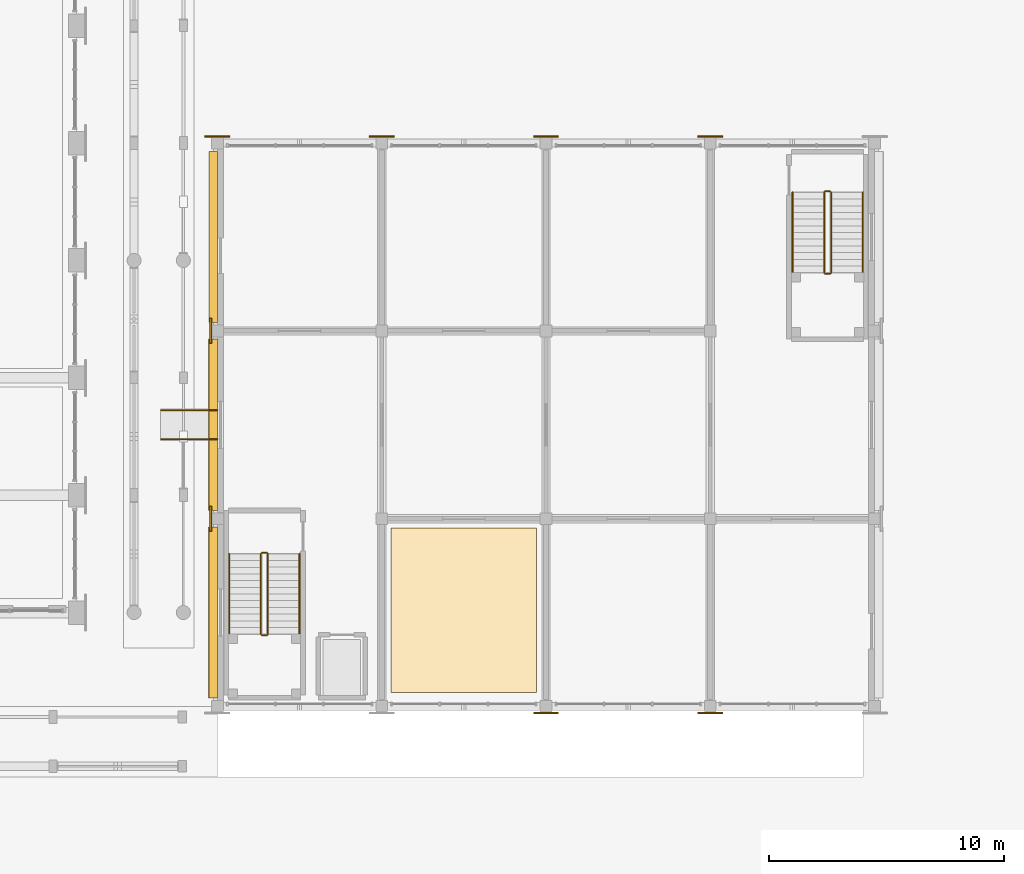
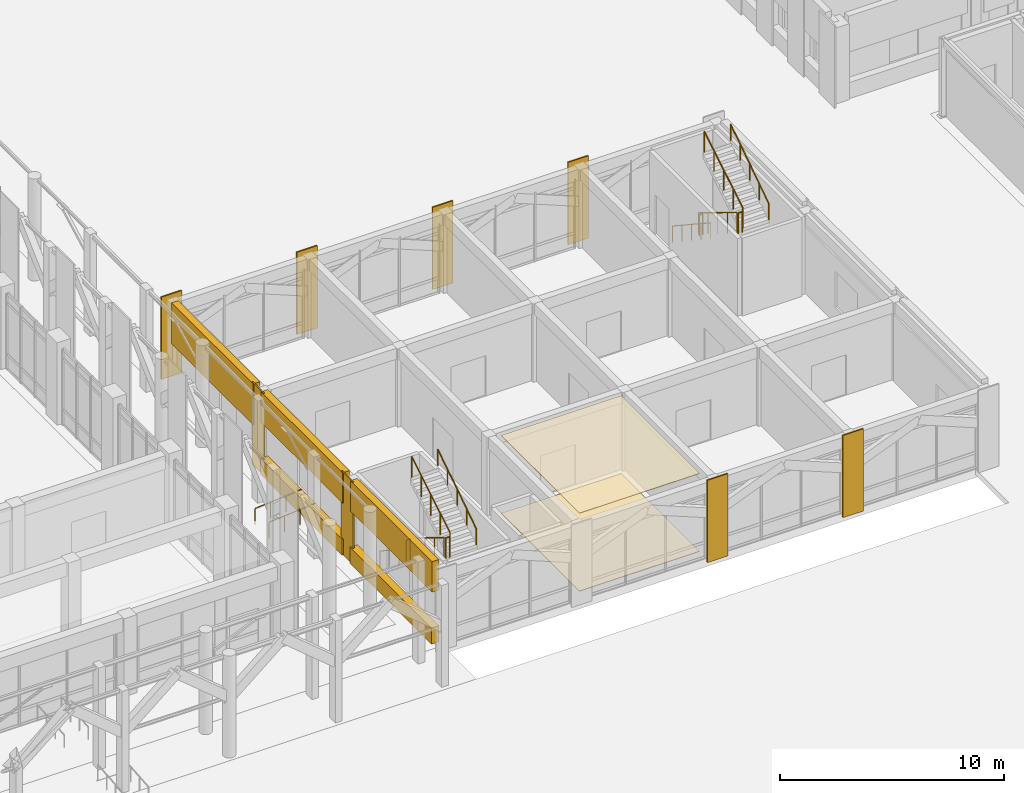
# One storey, part 122 of 135: 15 coverings, 14 railings.
"""IFC4 building model written with IfcOpenShell, lengths in metres."""

import ifcopenshell
import ifcopenshell.guid

model = None  # the IFC model being written
_history = None  # IfcOwnerHistory: only IFC2X3 demands one
_inside = {}  # id of a spatial element -> (the spatial element, [elements in it])
_under = {}  # id of a project, library or spatial element -> (it, [spatial elements below it])
_declared = {}  # id of a project -> (the project, [libraries it declares])
_typed = {}  # id of a type object -> (the type object, [elements of that type])
_made_of = {}  # id of a material, layer set ... -> (it, [elements and type objects made of it])


def new_model(schema):
    """Start an empty IFC model of exactly this schema.

    Asked for "IFC4X3", IfcOpenShell would pick the latest addendum, in which some entities
    have other attributes; the version numbers below select the first issue.
    IFC2X3 requires an IfcOwnerHistory on every rooted entity: one is made here for all.
    """
    global model, _history
    if schema == "IFC4X3":
        model = ifcopenshell.file(schema_version=(4, 3, 0, 0))
    else:
        model = ifcopenshell.file(schema=schema)
    _inside.clear()
    _under.clear()
    _declared.clear()
    _typed.clear()
    _made_of.clear()
    _history = None
    if model.schema == "IFC2X3":
        org = make("IfcOrganization", Name="unknown")
        user = make(
            "IfcPersonAndOrganization",
            ThePerson=make("IfcPerson", FamilyName="unknown"),
            TheOrganization=org,
        )
        app = make(
            "IfcApplication",
            ApplicationDeveloper=org,
            Version="unknown",
            ApplicationFullName="unknown",
            ApplicationIdentifier="unknown",
        )
        _history = make(
            "IfcOwnerHistory",
            OwningUser=user,
            OwningApplication=app,
            ChangeAction="ADDED",
            CreationDate=0,
        )
    return model


def make(cls, **values):
    """One entity of the class cls with the attributes given. An attribute that is None is left unset."""
    return model.create_entity(
        cls, **{name: value for name, value in values.items() if value is not None}
    )


def rooted(cls, **values):
    """An entity with a GlobalId (a new one), such as an element, a storey or a relation."""
    return make(cls, GlobalId=ifcopenshell.guid.new(), OwnerHistory=_history, **values)


def si_unit(unit_type, name, prefix=None):
    """IfcSIUnit, for example si_unit("LENGTHUNIT", "METRE", prefix="MILLI")."""
    return make("IfcSIUnit", UnitType=unit_type, Prefix=prefix, Name=name)


def assignment(units):
    """IfcUnitAssignment: the units of a project."""
    return None if units is None else make("IfcUnitAssignment", Units=units)


def point(xyz):
    """IfcCartesianPoint."""
    return None if xyz is None else make("IfcCartesianPoint", Coordinates=xyz)


def direction(xyz):
    """IfcDirection."""
    return None if xyz is None else make("IfcDirection", DirectionRatios=xyz)


def frame(location, z_axis=None, x_axis=None):
    """IfcAxis2Placement3D, a coordinate frame: its origin and axes. An axis left out is left unset."""
    return make(
        "IfcAxis2Placement3D",
        Location=point(location),
        Axis=direction(z_axis),
        RefDirection=direction(x_axis),
    )


def frame_2d(location, x_axis=None):
    """IfcAxis2Placement2D, a coordinate frame in the plane: its origin and x axis."""
    return make(
        "IfcAxis2Placement2D", Location=point(location), RefDirection=direction(x_axis)
    )


def origin():
    """The frame at (0, 0, 0) with its axes left unset."""
    return frame((0.0, 0.0, 0.0))


def origin_2d():
    """The frame at (0, 0) in the plane with its x axis left unset."""
    return frame_2d((0.0, 0.0))


def place(relative_to, where):
    """IfcLocalPlacement: puts the frame where relative to a parent placement (None: the world)."""
    return make(
        "IfcLocalPlacement", PlacementRelTo=relative_to, RelativePlacement=where
    )


def context(
    kind, dimensions, precision=None, world=None, true_north=None, identifier=None
):
    """IfcGeometricRepresentationContext, for example the 3D "Model" context."""
    return make(
        "IfcGeometricRepresentationContext",
        ContextIdentifier=identifier,
        ContextType=kind,
        CoordinateSpaceDimension=dimensions,
        Precision=precision,
        WorldCoordinateSystem=world,
        TrueNorth=true_north,
    )


def subcontext(parent, identifier, kind, view, scale=None):
    """IfcGeometricRepresentationSubContext, for example "Body" below "Model"."""
    return make(
        "IfcGeometricRepresentationSubContext",
        ContextIdentifier=identifier,
        ContextType=kind,
        ParentContext=parent,
        TargetScale=scale,
        TargetView=view,
    )


def project(units=None, contexts=None):
    """IfcProject with its units and contexts."""
    return rooted(
        "IfcProject",
        Name="project",
        RepresentationContexts=contexts,
        UnitsInContext=assignment(units),
    )


def spatial(cls, under=None, at=None, **own):
    """A site, building, storey or space (cls), placed at a placement, below another one or the project."""
    s = rooted(cls, ObjectPlacement=at, **own)
    if under is not None:
        _under.setdefault(under.id(), (under, []))[1].append(s)
    return s


def polyline(points):
    """IfcPolyline through the points."""
    return make("IfcPolyline", Points=[point(p) for p in points])


def profile(cls, at=None, kind="AREA", **sizes):
    """A parametric profile (cls). Its sizes go by their IFC names, for example OverallWidth=200.0."""
    return make(cls, ProfileType=kind, Position=at, **sizes)


def circle(**sizes):
    """IfcCircleProfileDef."""
    return profile("IfcCircleProfileDef", **sizes)


def outline(outer, holes=None, kind="AREA"):
    """IfcArbitraryClosedProfileDef: a profile drawn as a closed curve; with holes, ...WithVoids."""
    if holes is None:
        return make("IfcArbitraryClosedProfileDef", ProfileType=kind, OuterCurve=outer)
    return make(
        "IfcArbitraryProfileDefWithVoids",
        ProfileType=kind,
        OuterCurve=outer,
        InnerCurves=holes,
    )


def extrude(swept, where, along, depth):
    """IfcExtrudedAreaSolid: the profile swept, set in the frame where, extruded along a direction by depth."""
    return make(
        "IfcExtrudedAreaSolid",
        SweptArea=swept,
        Position=where,
        ExtrudedDirection=direction(along),
        Depth=depth,
    )


def shape(context_of_items, identifier, shape_type, items):
    """IfcShapeRepresentation: the items that make up one representation, for example the "Body"."""
    return make(
        "IfcShapeRepresentation",
        ContextOfItems=context_of_items,
        RepresentationIdentifier=identifier,
        RepresentationType=shape_type,
        Items=items,
    )


def material(Name=None, Category=None):
    """IfcMaterial."""
    return make("IfcMaterial", Name=Name, Category=Category)


def layer(
    of_material, thickness, ventilated=None, Name=None, Category=None, Priority=None
):
    """IfcMaterialLayer: one layer of a wall or slab, of a material (None: an air gap)."""
    return make(
        "IfcMaterialLayer",
        Material=of_material,
        LayerThickness=thickness,
        IsVentilated=ventilated,
        Name=Name,
        Category=Category,
        Priority=Priority,
    )


def layer_set(layers, Name=None):
    """IfcMaterialLayerSet."""
    return make("IfcMaterialLayerSet", MaterialLayers=layers, LayerSetName=Name)


def made_of(thing, what):
    """Note that an element or type object is made of a material, layer set ...; save() writes the relation."""
    if what is not None:
        _made_of.setdefault(what.id(), (what, []))[1].append(thing)
    return thing


def type_object(cls, material=None, **own):
    """A type object (cls), such as IfcWallType, which elements share."""
    return made_of(rooted(cls, **own), material)


def element(
    cls,
    number,
    at=None,
    inside=None,
    cuts=None,
    type_object=None,
    material=None,
    context=None,
    identifier="Body",
    shape_type=None,
    held_by="IfcProductDefinitionShape",
    body=None,
    shapes=None,
    **own,
):
    """One element of the class cls, such as IfcWall. Its Tag is "e" and its number.

    at: its placement. inside: the storey or other place that contains it. cuts: it is an
    opening in that element (IfcRelVoidsElement). A single representation is given by context,
    identifier, shape_type and body (its items); several are given by shapes. held_by: the class
    of the entity that holds the representations. save() writes the other relations.
    """
    e = rooted(cls, Tag="e%d" % number, ObjectPlacement=at, **own)
    if body is not None:
        shapes = [shape(context, identifier, shape_type, body)]
    if shapes is not None:
        e.Representation = make(held_by, Representations=shapes)
    if inside is not None:
        _inside.setdefault(inside.id(), (inside, []))[1].append(e)
    if cuts is not None:
        rooted(
            "IfcRelVoidsElement", RelatingBuildingElement=cuts, RelatedOpeningElement=e
        )
    if type_object is not None:
        _typed.setdefault(type_object.id(), (type_object, []))[1].append(e)
    return made_of(e, material)


def aggregate(whole, parts):
    """IfcRelAggregates: a whole, such as a stair, and the parts it consists of."""
    return rooted("IfcRelAggregates", RelatingObject=whole, RelatedObjects=parts)


def save(model, path):
    """Write the relations noted so far, then the file.

    IfcRelAggregates (storeys below a building ...), IfcRelContainedInSpatialStructure (elements
    in a storey), IfcRelDefinesByType, IfcRelAssociatesMaterial and IfcRelDeclares: one each for
    every whole, place, type object, material and project.
    """
    for whole, parts in _under.values():
        aggregate(whole, parts)
    for where, things in _inside.values():
        rooted(
            "IfcRelContainedInSpatialStructure",
            RelatedElements=things,
            RelatingStructure=where,
        )
    for kind, things in _typed.values():
        rooted("IfcRelDefinesByType", RelatedObjects=things, RelatingType=kind)
    for what, things in _made_of.values():
        rooted("IfcRelAssociatesMaterial", RelatedObjects=things, RelatingMaterial=what)
    for by, libraries in _declared.values():
        rooted("IfcRelDeclares", RelatingContext=by, RelatedDefinitions=libraries)
    model.write(path)


model = new_model("IFC4")

# Units and contexts
model_context = context("Model", 3, precision=1e-05, world=origin(), true_north=direction((0.0, 1.0)))
body_context = subcontext(model_context, "Body", "Model", "MODEL_VIEW")
ifc_project = project(units=[si_unit("LENGTHUNIT", "METRE"), si_unit("AREAUNIT", "SQUARE_METRE"), si_unit("VOLUMEUNIT", "CUBIC_METRE"), si_unit("PLANEANGLEUNIT", "RADIAN"), si_unit("MASSUNIT", "GRAM", prefix="KILO")], contexts=[model_context])

# Site, building, storey
site_placement = place(None, origin())
site = spatial("IfcSite", under=ifc_project, at=site_placement, CompositionType="ELEMENT")
building_placement = place(site_placement, origin())
building = spatial("IfcBuilding", under=site, at=building_placement, Name="Kiranvali Square Residences", CompositionType="ELEMENT")
storey_placement = place(building_placement, origin())
storey = spatial("IfcBuildingStorey", under=building, at=storey_placement, Name="L00", CompositionType="ELEMENT", Elevation=0.0)

# Coverings
ifc_material_1 = material(Name="Perforated acoustic mineral-fibre and gypsum board ceiling", Category="gypsum")
ifc_layer_1 = layer(ifc_material_1, 0.030029296875)
ifc_layer_set_1 = layer_set([ifc_layer_1], Name="Perforated acoustic mineral-fibre and gypsum board ceiling")
covering_type_1 = type_object("IfcCoveringType", Name="COV-CEIL-ACOUSTIC", PredefinedType="CEILING", material=ifc_layer_set_1)
covering_1_placement = place(storey_placement, frame((0.0, 0.0, 4.25)))
element("IfcCovering", 1, at=covering_1_placement, inside=storey, type_object=covering_type_1, Name="Cooperative Fresh Grocer acoustic ceiling", PredefinedType="CEILING", context=body_context, shape_type="SweptSolid", body=[
    extrude(outline(polyline([(109.39990234375, 40.60009765625), (115.60009765625, 40.60009765625), (115.60009765625, 47.60009765625), (109.39990234375, 47.60009765625), (109.39990234375, 40.60009765625)])), origin(), (0.0, 0.0, 1.0), 0.030029296875),
])
ifc_material_2 = material(Name="Honed Porbandar limestone ashlar facade cladding", Category="masonry")
ifc_layer_2 = layer(ifc_material_2, 0.06494140625)
ifc_layer_set_2 = layer_set([ifc_layer_2], Name="Honed Porbandar limestone ashlar facade cladding")
covering_type_2 = type_object("IfcCoveringType", Name="COV-CLAD-PIER", PredefinedType="CLADDING", material=ifc_layer_set_2)
covering_2_placement = place(storey_placement, frame((0.0, 0.0, 0.0048828125)))
element("IfcCovering", 2, at=covering_2_placement, inside=storey, type_object=covering_type_2, Name="L00 Classical limestone pilaster casing CLAD-RT-L00-N0", PredefinedType="CLADDING", context=body_context, shape_type="SweptSolid", body=[
    extrude(outline(polyline([(101.469970703125, 64.25048828125), (102.530029296875, 64.25048828125), (102.530029296875, 64.318115234375), (101.469970703125, 64.318115234375), (101.469970703125, 64.25048828125)])), origin(), (0.0, 0.0, 1.0), 4.490234375),
])
covering_3_placement = place(storey_placement, frame((0.0, 0.0, 0.0048828125)))
element("IfcCovering", 3, at=covering_3_placement, inside=storey, type_object=covering_type_2, Name="L00 Classical limestone pilaster casing CLAD-RT-L00-N1", PredefinedType="CLADDING", context=body_context, shape_type="SweptSolid", body=[
    extrude(outline(polyline([(108.469970703125, 64.25048828125), (109.530029296875, 64.25048828125), (109.530029296875, 64.318115234375), (108.469970703125, 64.318115234375), (108.469970703125, 64.25048828125)])), origin(), (0.0, 0.0, 1.0), 4.490234375),
])
covering_4_placement = place(storey_placement, frame((0.0, 0.0, 0.0048828125)))
element("IfcCovering", 4, at=covering_4_placement, inside=storey, type_object=covering_type_2, Name="L00 Classical limestone pilaster casing CLAD-RT-L00-S2", PredefinedType="CLADDING", context=body_context, shape_type="SweptSolid", body=[
    extrude(outline(polyline([(115.469970703125, 39.681884765625), (116.530029296875, 39.681884765625), (116.530029296875, 39.74951171875), (115.469970703125, 39.74951171875), (115.469970703125, 39.681884765625)])), origin(), (0.0, 0.0, 1.0), 4.490234375),
])
covering_5_placement = place(storey_placement, frame((0.0, 0.0, 0.0048828125)))
element("IfcCovering", 5, at=covering_5_placement, inside=storey, type_object=covering_type_2, Name="L00 Classical limestone pilaster casing CLAD-RT-L00-N2", PredefinedType="CLADDING", context=body_context, shape_type="SweptSolid", body=[
    extrude(outline(polyline([(115.469970703125, 64.25048828125), (116.530029296875, 64.25048828125), (116.530029296875, 64.318115234375), (115.469970703125, 64.318115234375), (115.469970703125, 64.25048828125)])), origin(), (0.0, 0.0, 1.0), 4.490234375),
])
covering_6_placement = place(storey_placement, frame((0.0, 0.0, 0.0048828125)))
element("IfcCovering", 6, at=covering_6_placement, inside=storey, type_object=covering_type_2, Name="L00 Classical limestone pilaster casing CLAD-RT-L00-S3", PredefinedType="CLADDING", context=body_context, shape_type="SweptSolid", body=[
    extrude(outline(polyline([(122.469970703125, 39.681884765625), (123.530029296875, 39.681884765625), (123.530029296875, 39.74951171875), (122.469970703125, 39.74951171875), (122.469970703125, 39.681884765625)])), origin(), (0.0, 0.0, 1.0), 4.490234375),
])
covering_7_placement = place(storey_placement, frame((0.0, 0.0, 0.0048828125)))
element("IfcCovering", 7, at=covering_7_placement, inside=storey, type_object=covering_type_2, Name="L00 Classical limestone pilaster casing CLAD-RT-L00-N3", PredefinedType="CLADDING", context=body_context, shape_type="SweptSolid", body=[
    extrude(outline(polyline([(122.469970703125, 64.25048828125), (123.530029296875, 64.25048828125), (123.530029296875, 64.318115234375), (122.469970703125, 64.318115234375), (122.469970703125, 64.25048828125)])), origin(), (0.0, 0.0, 1.0), 4.490234375),
])
covering_8_placement = place(storey_placement, frame((0.0, 0.0, 0.0048828125)))
element("IfcCovering", 8, at=covering_8_placement, inside=storey, type_object=covering_type_2, Name="L00 Classical limestone pilaster casing CLAD-RT-L00-W1", PredefinedType="CLADDING", context=body_context, shape_type="SweptSolid", body=[
    extrude(outline(polyline([(101.74951171875, 47.469970703125), (101.74951171875, 48.530029296875), (101.681884765625, 48.530029296875), (101.681884765625, 47.469970703125), (101.74951171875, 47.469970703125)])), origin(), (0.0, 0.0, 1.0), 4.490234375),
])
covering_9_placement = place(storey_placement, frame((0.0, 0.0, 0.0048828125)))
element("IfcCovering", 9, at=covering_9_placement, inside=storey, type_object=covering_type_2, Name="L00 Classical limestone pilaster casing CLAD-RT-L00-W2", PredefinedType="CLADDING", context=body_context, shape_type="SweptSolid", body=[
    extrude(outline(polyline([(101.74951171875, 55.469970703125), (101.74951171875, 56.530029296875), (101.681884765625, 56.530029296875), (101.681884765625, 55.469970703125), (101.74951171875, 55.469970703125)])), origin(), (0.0, 0.0, 1.0), 4.490234375),
])
ifc_layer_3 = layer(ifc_material_2, 0.360107421875)
ifc_layer_set_3 = layer_set([ifc_layer_3], Name="Honed Porbandar limestone ashlar facade cladding")
covering_type_3 = type_object("IfcCoveringType", Name="COV-CLAD-WALL", PredefinedType="CLADDING", material=ifc_layer_set_3)
covering_10_placement = place(storey_placement, frame((0.0, 0.0, 2.830078125)))
element("IfcCovering", 10, at=covering_10_placement, inside=storey, type_object=covering_type_3, Name="L00 light limestone spandrel lintel RT-L00-W-0", PredefinedType="CLADDING", context=body_context, shape_type="SweptSolid", body=[
    extrude(outline(polyline([(101.99951171875, 40.35009765625), (101.99951171875, 47.64990234375), (101.64990234375, 47.64990234375), (101.64990234375, 40.35009765625), (101.99951171875, 40.35009765625)])), origin(), (0.0, 0.0, 1.0), 1.6650390625),
])
covering_11_placement = place(storey_placement, frame((0.0, 0.0, 0.0048828125)))
element("IfcCovering", 11, at=covering_11_placement, inside=storey, type_object=covering_type_3, Name="L00 limestone window sill apron RT-L00-W-0", PredefinedType="CLADDING", context=body_context, shape_type="SweptSolid", body=[
    extrude(outline(polyline([(101.99951171875, 40.35009765625), (101.99951171875, 47.64990234375), (101.6201171875, 47.64990234375), (101.6201171875, 40.35009765625), (101.99951171875, 40.35009765625)])), origin(), (0.0, 0.0, 1.0), 0.875),
])
covering_12_placement = place(storey_placement, frame((0.0, 0.0, 2.830078125)))
element("IfcCovering", 12, at=covering_12_placement, inside=storey, type_object=covering_type_3, Name="L00 light limestone spandrel lintel RT-L00-W-1", PredefinedType="CLADDING", context=body_context, shape_type="SweptSolid", body=[
    extrude(outline(polyline([(101.99951171875, 48.35009765625), (101.99951171875, 55.64990234375), (101.64990234375, 55.64990234375), (101.64990234375, 48.35009765625), (101.99951171875, 48.35009765625)])), origin(), (0.0, 0.0, 1.0), 1.6650390625),
])
covering_13_placement = place(storey_placement, frame((0.0, 0.0, 0.0048828125)))
element("IfcCovering", 13, at=covering_13_placement, inside=storey, type_object=covering_type_3, Name="L00 limestone window sill apron RT-L00-W-1", PredefinedType="CLADDING", context=body_context, shape_type="SweptSolid", body=[
    extrude(outline(polyline([(101.99951171875, 48.35009765625), (101.99951171875, 55.64990234375), (101.6201171875, 55.64990234375), (101.6201171875, 48.35009765625), (101.99951171875, 48.35009765625)])), origin(), (0.0, 0.0, 1.0), 0.875),
])
covering_14_placement = place(storey_placement, frame((0.0, 0.0, 2.25)))
element("IfcCovering", 14, at=covering_14_placement, inside=storey, type_object=covering_type_3, Name="L00 light limestone spandrel lintel RT-L00-W-2", PredefinedType="CLADDING", context=body_context, shape_type="SweptSolid", body=[
    extrude(outline(polyline([(101.99951171875, 56.35009765625), (101.99951171875, 63.64990234375), (101.64990234375, 63.64990234375), (101.64990234375, 56.35009765625), (101.99951171875, 56.35009765625)])), origin(), (0.0, 0.0, 1.0), 2.2451171875),
])
ifc_material_3 = material(Name="Polished terrazzo and anti-slip vitrified floor finish", Category="stone")
ifc_layer_4 = layer(ifc_material_3, 0.030029296875)
ifc_layer_set_4 = layer_set([ifc_layer_4], Name="Polished terrazzo and anti-slip vitrified floor finish")
covering_type_4 = type_object("IfcCoveringType", Name="COV-FLR-TERRAZZO", PredefinedType="FLOORING", material=ifc_layer_set_4)
covering_15_placement = place(storey_placement, origin())
element("IfcCovering", 15, at=covering_15_placement, inside=storey, type_object=covering_type_4, Name="Cooperative Fresh Grocer terrazzo flooring", PredefinedType="FLOORING", context=body_context, shape_type="SweptSolid", body=[
    extrude(outline(polyline([(109.39990234375, 40.60009765625), (115.60009765625, 40.60009765625), (115.60009765625, 47.60009765625), (109.39990234375, 47.60009765625), (109.39990234375, 40.60009765625)])), origin(), (0.0, 0.0, 1.0), 0.030029296875),
])

# Railings
ifc_material_4 = material(Name="Brushed stainless steel tubular handrail", Category="steel")
railing_type_1 = type_object("IfcRailingType", Name="RL-HANDRAIL-900", PredefinedType="HANDRAIL", material=ifc_material_4)
railing_1_placement = place(storey_placement, frame((102.5, 46.5, 0.173095703125)))
element("IfcRailing", 16, at=railing_1_placement, inside=storey, type_object=railing_type_1, Name="L00 ST-RT1 stair handrail 1", PredefinedType="HANDRAIL", context=body_context, shape_type="SweptSolid", body=[
    extrude(circle(Radius=0.02392578125, at=origin_2d()), frame((0.0, 0.0, 0.8759765625), z_axis=(0.0, -0.835411317272, 0.549625264133), x_axis=(1.0, 0.0, 0.0)), (0.0, 0.0, 1.0), 4.09375),
    extrude(circle(Radius=0.02099609375, at=origin_2d()), origin(), (0.0, 0.0, 1.0), 0.851806640625),
    extrude(circle(Radius=0.02099609375, at=origin_2d()), frame((0.0, -0.85498046875, 0.5625)), (0.0, 0.0, 1.0), 0.851806640625),
    extrude(circle(Radius=0.02099609375, at=origin_2d()), frame((0.0, -1.7099609375, 1.125)), (0.0, 0.0, 1.0), 0.851806640625),
    extrude(circle(Radius=0.02099609375, at=origin_2d()), frame((0.0, -2.56494140625, 1.6875)), (0.0, 0.0, 1.0), 0.851806640625),
    extrude(circle(Radius=0.02099609375, at=origin_2d()), frame((0.0, -3.419921875, 2.25)), (0.0, 0.0, 1.0), 0.851806640625),
])
railing_2_placement = place(storey_placement, frame((105.5, 43.080078125, 2.423095703125)))
element("IfcRailing", 17, at=railing_2_placement, inside=storey, type_object=railing_type_1, Name="L00 ST-RT1 stair handrail 2", PredefinedType="HANDRAIL", context=body_context, shape_type="SweptSolid", body=[
    extrude(circle(Radius=0.02392578125, at=origin_2d()), frame((0.0, 0.0, 0.8759765625), z_axis=(0.0, 0.835411317272, 0.549625264133), x_axis=(-1.0, 0.0, 0.0)), (0.0, 0.0, 1.0), 4.09375),
    extrude(circle(Radius=0.02099609375, at=origin_2d()), origin(), (0.0, 0.0, 1.0), 0.851806640625),
    extrude(circle(Radius=0.02099609375, at=origin_2d()), frame((0.0, 0.85498046875, 0.5625)), (0.0, 0.0, 1.0), 0.851806640625),
    extrude(circle(Radius=0.02099609375, at=origin_2d()), frame((0.0, 1.7099609375, 1.125)), (0.0, 0.0, 1.0), 0.851806640625),
    extrude(circle(Radius=0.02099609375, at=origin_2d()), frame((0.0, 2.56494140625, 1.6875)), (0.0, 0.0, 1.0), 0.851806640625),
    extrude(circle(Radius=0.02099609375, at=origin_2d()), frame((0.0, 3.419921875, 2.25)), (0.0, 0.0, 1.0), 0.851806640625),
])
railing_3_placement = place(storey_placement, frame((126.5, 61.89990234375, 0.173095703125)))
element("IfcRailing", 18, at=railing_3_placement, inside=storey, type_object=railing_type_1, Name="L00 ST-RT2 stair handrail 1", PredefinedType="HANDRAIL", context=body_context, shape_type="SweptSolid", body=[
    extrude(circle(Radius=0.02392578125, at=origin_2d()), frame((0.0, 0.0, 0.8759765625), z_axis=(0.0, -0.835411317272, 0.549625264133), x_axis=(1.0, 0.0, 0.0)), (0.0, 0.0, 1.0), 4.09375),
    extrude(circle(Radius=0.02099609375, at=origin_2d()), origin(), (0.0, 0.0, 1.0), 0.851806640625),
    extrude(circle(Radius=0.02099609375, at=origin_2d()), frame((0.0, -0.85498046875, 0.5625)), (0.0, 0.0, 1.0), 0.851806640625),
    extrude(circle(Radius=0.02099609375, at=origin_2d()), frame((0.0, -1.7099609375, 1.125)), (0.0, 0.0, 1.0), 0.851806640625),
    extrude(circle(Radius=0.02099609375, at=origin_2d()), frame((0.0, -2.56494140625, 1.6875)), (0.0, 0.0, 1.0), 0.851806640625),
    extrude(circle(Radius=0.02099609375, at=origin_2d()), frame((0.0, -3.419921875, 2.25)), (0.0, 0.0, 1.0), 0.851806640625),
])
railing_4_placement = place(storey_placement, frame((129.5, 58.47998046875, 2.423095703125)))
element("IfcRailing", 19, at=railing_4_placement, inside=storey, type_object=railing_type_1, Name="L00 ST-RT2 stair handrail 2", PredefinedType="HANDRAIL", context=body_context, shape_type="SweptSolid", body=[
    extrude(circle(Radius=0.02392578125, at=origin_2d()), frame((0.0, 0.0, 0.8759765625), z_axis=(0.0, 0.835411317272, 0.549625264133), x_axis=(-1.0, 0.0, 0.0)), (0.0, 0.0, 1.0), 4.09375),
    extrude(circle(Radius=0.02099609375, at=origin_2d()), origin(), (0.0, 0.0, 1.0), 0.851806640625),
    extrude(circle(Radius=0.02099609375, at=origin_2d()), frame((0.0, 0.85498046875, 0.5625)), (0.0, 0.0, 1.0), 0.851806640625),
    extrude(circle(Radius=0.02099609375, at=origin_2d()), frame((0.0, 1.7099609375, 1.125)), (0.0, 0.0, 1.0), 0.851806640625),
    extrude(circle(Radius=0.02099609375, at=origin_2d()), frame((0.0, 2.56494140625, 1.6875)), (0.0, 0.0, 1.0), 0.851806640625),
    extrude(circle(Radius=0.02099609375, at=origin_2d()), frame((0.0, 3.419921875, 2.25)), (0.0, 0.0, 1.0), 0.851806640625),
])
railing_type_2 = type_object("IfcRailingType", Name="RL-HANDRAIL-EXT-900", PredefinedType="HANDRAIL", material=ifc_material_4)
for number, where, name in (
    (20, (102.0, 51.3798828125, 0.0), "Retail Courtyard Accessible Ramp handrail L"),
    (21, (102.0, 52.6201171875, 0.0), "Retail Courtyard Accessible Ramp handrail R"),
):
    element("IfcRailing", number, at=place(storey_placement, frame(where)), inside=storey, type_object=railing_type_2, Name=name, PredefinedType="HANDRAIL", context=body_context, shape_type="SweptSolid", body=[
        extrude(circle(Radius=0.02392578125, at=origin_2d()), frame((0.0, 0.0, 0.8759765625), z_axis=(-0.996547156423, 0.0, -0.083028700011), x_axis=(0.0, -1.0, 0.0)), (0.0, 0.0, 1.0), 2.408203125),
        extrude(circle(Radius=0.02099609375, at=origin_2d()), origin(), (0.0, 0.0, 1.0), 0.851806640625),
        extrude(circle(Radius=0.02099609375, at=origin_2d()), frame((-0.800048828125, 0.0, -0.066650390625)), (0.0, 0.0, 1.0), 0.851806640625),
        extrude(circle(Radius=0.02099609375, at=origin_2d()), frame((-1.599853515625, 0.0, -0.13330078125)), (0.0, 0.0, 1.0), 0.851806640625),
        extrude(circle(Radius=0.02099609375, at=origin_2d()), frame((-2.39990234375, 0.0, -0.199951171875)), (0.0, 0.0, 1.0), 0.851806640625),
    ])
ifc_material_5 = material(Name="Powder-coated architectural bronze balustrade", Category="steel")
railing_type_3 = type_object("IfcRailingType", Name="RL-ST-GUARD-1200", PredefinedType="GUARDRAIL", material=ifc_material_5)
railing_5_placement = place(storey_placement, frame((103.85009765625, 46.5, 0.173095703125)))
element("IfcRailing", 22, at=railing_5_placement, inside=storey, type_object=railing_type_3, Name="L00 ST-RT1 stair guard 1", PredefinedType="GUARDRAIL", context=body_context, shape_type="SweptSolid", body=[
    extrude(circle(Radius=0.02392578125, at=origin_2d()), frame((0.0, 0.0, 1.1259765625), z_axis=(0.0, -0.854729506542, 0.519073665916), x_axis=(1.0, 0.0, 0.0)), (0.0, 0.0, 1.0), 4.001220703125),
    extrude(circle(Radius=0.02099609375, at=origin_2d()), origin(), (0.0, 0.0, 1.0), 1.101806640625),
    extrude(circle(Radius=0.02099609375, at=origin_2d()), frame((0.0, -0.85498046875, 0.519287109375)), (0.0, 0.0, 1.0), 1.101806640625),
    extrude(circle(Radius=0.02099609375, at=origin_2d()), frame((0.0, -1.7099609375, 1.03857421875)), (0.0, 0.0, 1.0), 1.101806640625),
    extrude(circle(Radius=0.02099609375, at=origin_2d()), frame((0.0, -2.56494140625, 1.5576171875)), (0.0, 0.0, 1.0), 1.101806640625),
    extrude(circle(Radius=0.02099609375, at=origin_2d()), frame((0.0, -3.419921875, 2.076904296875)), (0.0, 0.0, 1.0), 1.101806640625),
])
railing_6_placement = place(storey_placement, frame((103.89990234375, 43.030029296875, 2.25)))
element("IfcRailing", 23, at=railing_6_placement, inside=storey, type_object=railing_type_3, Name="L00 ST-RT1 stair guard 2", PredefinedType="GUARDRAIL", context=body_context, shape_type="SweptSolid", body=[
    extrude(circle(Radius=0.02392578125, at=origin_2d()), frame((0.0, 0.0, 1.1259765625), z_axis=(1.0, 0.0, 0.0), x_axis=(0.0, 1.0, 0.0)), (0.0, 0.0, 1.0), 0.2001953125),
    extrude(circle(Radius=0.02099609375, at=origin_2d()), origin(), (0.0, 0.0, 1.0), 1.101806640625),
    extrude(circle(Radius=0.02099609375, at=origin_2d()), frame((0.2001953125, 0.0, 0.0)), (0.0, 0.0, 1.0), 1.101806640625),
])
railing_7_placement = place(storey_placement, frame((104.14990234375, 43.080078125, 2.423095703125)))
element("IfcRailing", 24, at=railing_7_placement, inside=storey, type_object=railing_type_3, Name="L00 ST-RT1 stair guard 3", PredefinedType="GUARDRAIL", context=body_context, shape_type="SweptSolid", body=[
    extrude(circle(Radius=0.02392578125, at=origin_2d()), frame((0.0, 0.0, 1.1259765625), z_axis=(0.0, 0.854729506542, 0.519073665916), x_axis=(-1.0, 0.0, 0.0)), (0.0, 0.0, 1.0), 4.001220703125),
    extrude(circle(Radius=0.02099609375, at=origin_2d()), origin(), (0.0, 0.0, 1.0), 1.101806640625),
    extrude(circle(Radius=0.02099609375, at=origin_2d()), frame((0.0, 0.85498046875, 0.519287109375)), (0.0, 0.0, 1.0), 1.101806640625),
    extrude(circle(Radius=0.02099609375, at=origin_2d()), frame((0.0, 1.7099609375, 1.03857421875)), (0.0, 0.0, 1.0), 1.101806640625),
    extrude(circle(Radius=0.02099609375, at=origin_2d()), frame((0.0, 2.56494140625, 1.5576171875)), (0.0, 0.0, 1.0), 1.101806640625),
    extrude(circle(Radius=0.02099609375, at=origin_2d()), frame((0.0, 3.419921875, 2.076904296875)), (0.0, 0.0, 1.0), 1.101806640625),
])
railing_8_placement = place(storey_placement, frame((103.89990234375, 46.550048828125, 0.0)))
element("IfcRailing", 25, at=railing_8_placement, inside=storey, type_object=railing_type_3, Name="L00 ST-RT1 stair guard 4", PredefinedType="GUARDRAIL", context=body_context, shape_type="SweptSolid", body=[
    extrude(circle(Radius=0.02392578125, at=origin_2d()), frame((0.0, 0.0, 1.1259765625), z_axis=(1.0, 0.0, 0.0), x_axis=(0.0, 1.0, 0.0)), (0.0, 0.0, 1.0), 0.2001953125),
    extrude(circle(Radius=0.02099609375, at=origin_2d()), origin(), (0.0, 0.0, 1.0), 1.101806640625),
    extrude(circle(Radius=0.02099609375, at=origin_2d()), frame((0.2001953125, 0.0, 0.0)), (0.0, 0.0, 1.0), 1.101806640625),
])
railing_9_placement = place(storey_placement, frame((127.85009765625, 61.89990234375, 0.173095703125)))
element("IfcRailing", 26, at=railing_9_placement, inside=storey, type_object=railing_type_3, Name="L00 ST-RT2 stair guard 1", PredefinedType="GUARDRAIL", context=body_context, shape_type="SweptSolid", body=[
    extrude(circle(Radius=0.02392578125, at=origin_2d()), frame((0.0, 0.0, 1.1259765625), z_axis=(0.0, -0.854729506542, 0.519073665916), x_axis=(1.0, 0.0, 0.0)), (0.0, 0.0, 1.0), 4.001220703125),
    extrude(circle(Radius=0.02099609375, at=origin_2d()), origin(), (0.0, 0.0, 1.0), 1.101806640625),
    extrude(circle(Radius=0.02099609375, at=origin_2d()), frame((0.0, -0.85498046875, 0.519287109375)), (0.0, 0.0, 1.0), 1.101806640625),
    extrude(circle(Radius=0.02099609375, at=origin_2d()), frame((0.0, -1.7099609375, 1.03857421875)), (0.0, 0.0, 1.0), 1.101806640625),
    extrude(circle(Radius=0.02099609375, at=origin_2d()), frame((0.0, -2.56494140625, 1.5576171875)), (0.0, 0.0, 1.0), 1.101806640625),
    extrude(circle(Radius=0.02099609375, at=origin_2d()), frame((0.0, -3.419921875, 2.076904296875)), (0.0, 0.0, 1.0), 1.101806640625),
])
railing_10_placement = place(storey_placement, frame((127.89990234375, 58.429931640625, 2.25)))
element("IfcRailing", 27, at=railing_10_placement, inside=storey, type_object=railing_type_3, Name="L00 ST-RT2 stair guard 2", PredefinedType="GUARDRAIL", context=body_context, shape_type="SweptSolid", body=[
    extrude(circle(Radius=0.02392578125, at=origin_2d()), frame((0.0, 0.0, 1.1259765625), z_axis=(1.0, 0.0, 0.0), x_axis=(0.0, 1.0, 0.0)), (0.0, 0.0, 1.0), 0.2001953125),
    extrude(circle(Radius=0.02099609375, at=origin_2d()), origin(), (0.0, 0.0, 1.0), 1.101806640625),
    extrude(circle(Radius=0.02099609375, at=origin_2d()), frame((0.2001953125, 0.0, 0.0)), (0.0, 0.0, 1.0), 1.101806640625),
])
railing_11_placement = place(storey_placement, frame((128.14990234375, 58.47998046875, 2.423095703125)))
element("IfcRailing", 28, at=railing_11_placement, inside=storey, type_object=railing_type_3, Name="L00 ST-RT2 stair guard 3", PredefinedType="GUARDRAIL", context=body_context, shape_type="SweptSolid", body=[
    extrude(circle(Radius=0.02392578125, at=origin_2d()), frame((0.0, 0.0, 1.1259765625), z_axis=(0.0, 0.854729506542, 0.519073665916), x_axis=(-1.0, 0.0, 0.0)), (0.0, 0.0, 1.0), 4.001220703125),
    extrude(circle(Radius=0.02099609375, at=origin_2d()), origin(), (0.0, 0.0, 1.0), 1.101806640625),
    extrude(circle(Radius=0.02099609375, at=origin_2d()), frame((0.0, 0.85498046875, 0.519287109375)), (0.0, 0.0, 1.0), 1.101806640625),
    extrude(circle(Radius=0.02099609375, at=origin_2d()), frame((0.0, 1.7099609375, 1.03857421875)), (0.0, 0.0, 1.0), 1.101806640625),
    extrude(circle(Radius=0.02099609375, at=origin_2d()), frame((0.0, 2.56494140625, 1.5576171875)), (0.0, 0.0, 1.0), 1.101806640625),
    extrude(circle(Radius=0.02099609375, at=origin_2d()), frame((0.0, 3.419921875, 2.076904296875)), (0.0, 0.0, 1.0), 1.101806640625),
])
railing_12_placement = place(storey_placement, frame((127.89990234375, 61.949951171875, 0.0)))
element("IfcRailing", 29, at=railing_12_placement, inside=storey, type_object=railing_type_3, Name="L00 ST-RT2 stair guard 4", PredefinedType="GUARDRAIL", context=body_context, shape_type="SweptSolid", body=[
    extrude(circle(Radius=0.02392578125, at=origin_2d()), frame((0.0, 0.0, 1.1259765625), z_axis=(1.0, 0.0, 0.0), x_axis=(0.0, 1.0, 0.0)), (0.0, 0.0, 1.0), 0.2001953125),
    extrude(circle(Radius=0.02099609375, at=origin_2d()), origin(), (0.0, 0.0, 1.0), 1.101806640625),
    extrude(circle(Radius=0.02099609375, at=origin_2d()), frame((0.2001953125, 0.0, 0.0)), (0.0, 0.0, 1.0), 1.101806640625),
])

save(model, "model.ifc")
